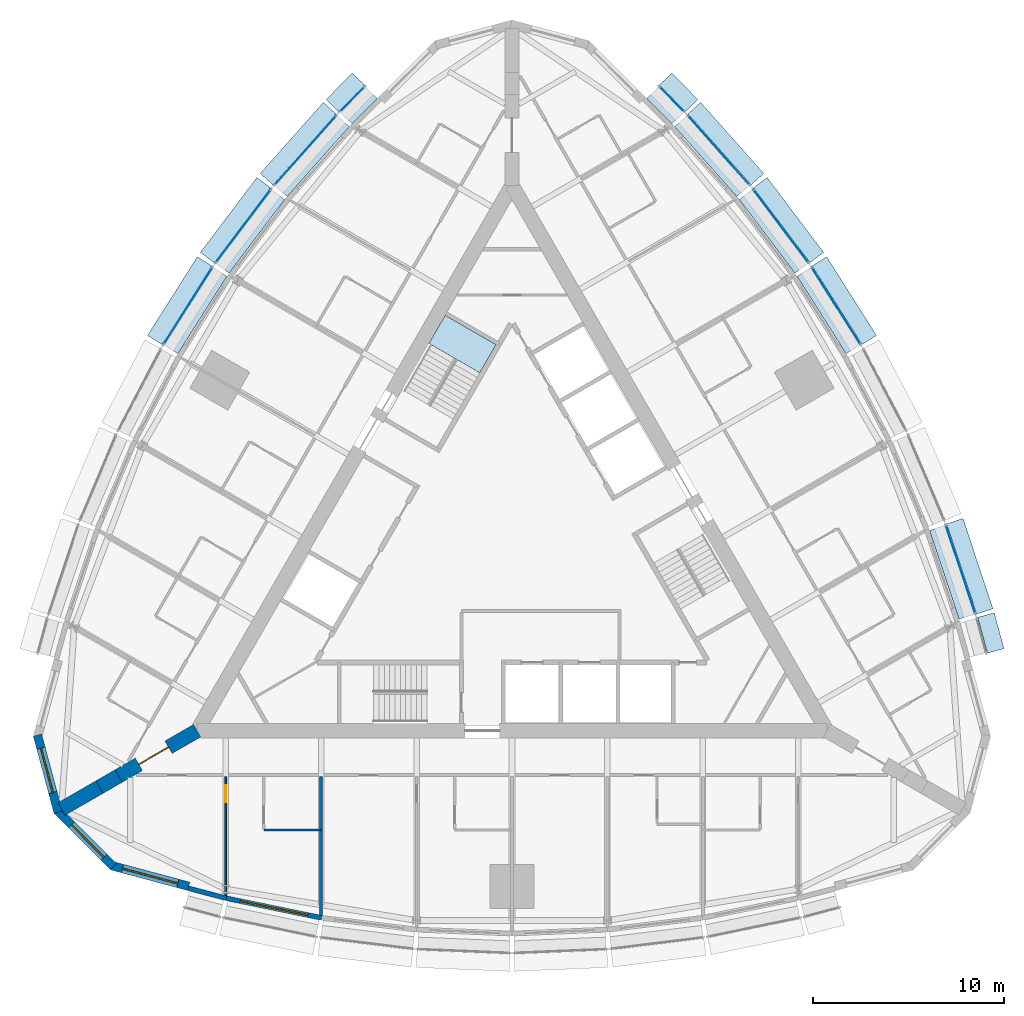
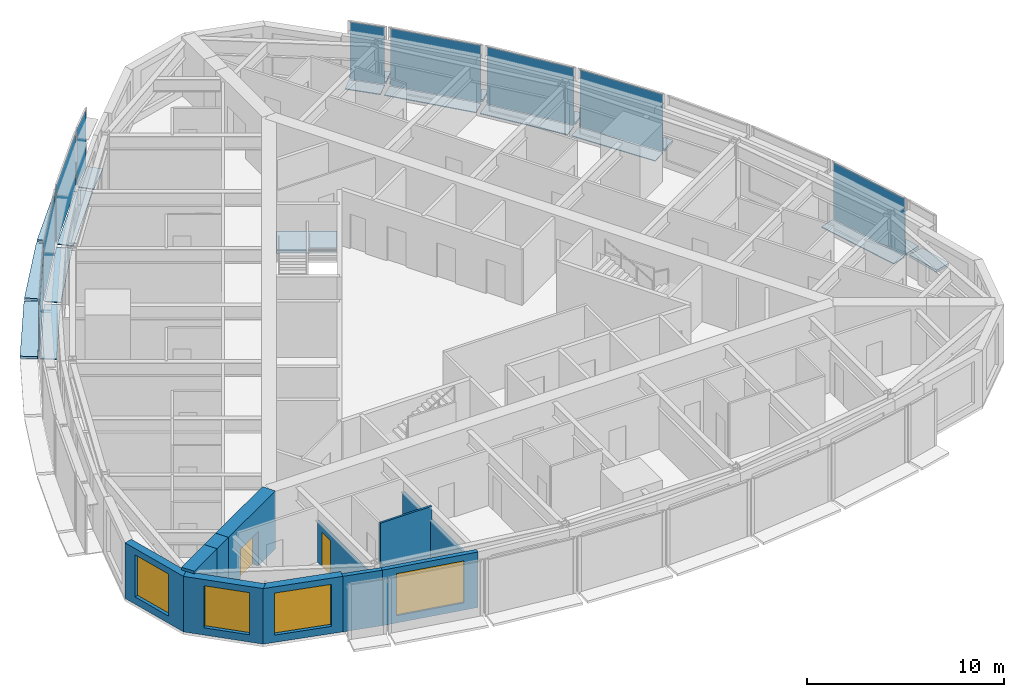
# One storey, part 8 of 15: 28 plates, 11 walls, 4 windows, 2 doors, 1 slab, 6 openings, 10 elements without a shape of their own.
"""IFC4 building model written with IfcOpenShell, lengths in metres."""

from ifc_helpers import new_model, si_unit, direction, frame, frame_2d, origin, origin_2d, place, context, subcontext, project, spatial, polyline, rectangle, outline, extrude, material, layer, layer_set, type_object, element, fill, aggregate, save


model = new_model("IFC4")

# Units and contexts
model_context = context("Model", 3, precision=1e-05, world=origin(), true_north=direction((0.0, 1.0)))
body_context = subcontext(model_context, "Body", "Model", "MODEL_VIEW")
ifc_project = project(units=[si_unit("LENGTHUNIT", "METRE"), si_unit("AREAUNIT", "SQUARE_METRE"), si_unit("VOLUMEUNIT", "CUBIC_METRE"), si_unit("PLANEANGLEUNIT", "RADIAN"), si_unit("MASSUNIT", "GRAM", prefix="KILO")], contexts=[model_context])

# Site, building, storey
site_placement = place(None, origin())
site = spatial("IfcSite", under=ifc_project, at=site_placement, CompositionType="ELEMENT")
building_placement = place(site_placement, origin())
building = spatial("IfcBuilding", under=site, at=building_placement, Name="Trikona Tower", CompositionType="ELEMENT")
storey_placement = place(building_placement, frame((0.0, 0.0, 218.89990234375)))
storey = spatial("IfcBuildingStorey", under=building, at=storey_placement, Name="L58", CompositionType="ELEMENT", Elevation=218.89990234375)

# Plates
ifc_material_1 = material(Name="Aluminium bar grating", Category="aluminium")
ifc_layer_1 = layer(ifc_material_1, 0.050048828125)
ifc_layer_set_1 = layer_set([ifc_layer_1], Name="Cavity catwalk grating")
plate_type_1 = type_object("IfcPlateType", Name="Cavity catwalk grating", PredefinedType="USERDEFINED", material=ifc_layer_set_1)
plate_1_placement = place(storey_placement, frame((23.05078125, -1.22314453125, -0.0498046875), z_axis=(0.0, 0.0, 1.0), x_axis=(-0.315092532747, 0.949060954737, 0.0)))
element("IfcPlate", 1, at=plate_1_placement, inside=storey, type_object=plate_type_1, Name="Cavity catwalk L58-13", ObjectType="CATWALK GRATING", PredefinedType="USERDEFINED", context=body_context, shape_type="SweptSolid", body=[
    extrude(rectangle(XDim=4.90478515625, YDim=0.840087890625, at=origin_2d()), origin(), (0.0, 0.0, 1.0), 0.050048828125),
])
plate_2_placement = place(storey_placement, frame((16.57666015625, 12.477294921875, -0.0498046875), z_axis=(0.0, 0.0, 1.0), x_axis=(-0.535204777743, 0.844722348397, 0.0)))
element("IfcPlate", 2, at=plate_2_placement, inside=storey, type_object=plate_type_1, Name="Cavity catwalk L58-16", ObjectType="CATWALK GRATING", PredefinedType="USERDEFINED", context=body_context, shape_type="SweptSolid", body=[
    extrude(rectangle(XDim=4.80419921875, YDim=0.840087890625, at=origin_2d()), origin(), (0.0, 0.0, 1.0), 0.050048828125),
])
plate_3_placement = place(storey_placement, frame((13.70068359375, 16.6298828125, -0.0498046875), z_axis=(0.0, 0.0, 1.0), x_axis=(-0.602401684924, 0.798193090674, 0.0)))
element("IfcPlate", 3, at=plate_3_placement, inside=storey, type_object=plate_type_1, Name="Cavity catwalk L58-17", ObjectType="CATWALK GRATING", PredefinedType="USERDEFINED", context=body_context, shape_type="SweptSolid", body=[
    extrude(rectangle(XDim=4.837890625, YDim=0.840087890625, at=origin_2d()), origin(), (0.0, 0.0, 1.0), 0.050048828125),
])
plate_4_placement = place(storey_placement, frame((10.466064453125, 20.57421875, -0.0498046875), z_axis=(0.0, 0.0, 1.0), x_axis=(-0.664367239113, 0.747406296196, 0.0)))
element("IfcPlate", 4, at=plate_4_placement, inside=storey, type_object=plate_type_1, Name="Cavity catwalk L58-18", ObjectType="CATWALK GRATING", PredefinedType="USERDEFINED", context=body_context, shape_type="SweptSolid", body=[
    extrude(rectangle(XDim=4.90478515625, YDim=0.840087890625, at=origin_2d()), origin(), (0.0, 0.0, 1.0), 0.050048828125),
])
for number, where, z_axis, x_axis, name in (
    (5, (8.0263671875, 23.23291015625, -0.0498046875), (0.0, 0.0, 1.0), (-0.704151057285, 0.710050201412, 0.0), "Cavity catwalk L58-19"),
    (6, (-8.0263671875, 23.23291015625, -0.0498046875), (0.0, 0.0, 1.0), (-0.704151057285, -0.710050201412, 0.0), "Cavity catwalk L58-24"),
):
    element("IfcPlate", number, at=place(storey_placement, frame(where, z_axis=z_axis, x_axis=x_axis)), inside=storey, type_object=plate_type_1, Name=name, ObjectType="CATWALK GRATING", PredefinedType="USERDEFINED", context=body_context, shape_type="SweptSolid", body=[
        extrude(rectangle(XDim=1.868408203125, YDim=0.840087890625, at=origin_2d()), origin(), (0.0, 0.0, 1.0), 0.050048828125),
    ])
plate_5_placement = place(storey_placement, frame((-10.466064453125, 20.57421875, -0.0498046875), z_axis=(0.0, 0.0, 1.0), x_axis=(-0.664367239113, -0.747406296196, 0.0)))
element("IfcPlate", 7, at=plate_5_placement, inside=storey, type_object=plate_type_1, Name="Cavity catwalk L58-25", ObjectType="CATWALK GRATING", PredefinedType="USERDEFINED", context=body_context, shape_type="SweptSolid", body=[
    extrude(rectangle(XDim=4.90478515625, YDim=0.840087890625, at=origin_2d()), origin(), (0.0, 0.0, 1.0), 0.050048828125),
])
plate_6_placement = place(storey_placement, frame((-13.70068359375, 16.6298828125, -0.0498046875), z_axis=(0.0, 0.0, 1.0), x_axis=(-0.602401684924, -0.798193090674, 0.0)))
element("IfcPlate", 8, at=plate_6_placement, inside=storey, type_object=plate_type_1, Name="Cavity catwalk L58-26", ObjectType="CATWALK GRATING", PredefinedType="USERDEFINED", context=body_context, shape_type="SweptSolid", body=[
    extrude(rectangle(XDim=4.837890625, YDim=0.840087890625, at=origin_2d()), origin(), (0.0, 0.0, 1.0), 0.050048828125),
])
plate_7_placement = place(storey_placement, frame((-16.57666015625, 12.477294921875, -0.0498046875), z_axis=(0.0, 0.0, 1.0), x_axis=(-0.535204777743, -0.844722348397, 0.0)))
element("IfcPlate", 9, at=plate_7_placement, inside=storey, type_object=plate_type_1, Name="Cavity catwalk L58-27", ObjectType="CATWALK GRATING", PredefinedType="USERDEFINED", context=body_context, shape_type="SweptSolid", body=[
    extrude(rectangle(XDim=4.80419921875, YDim=0.840087890625, at=origin_2d()), origin(), (0.0, 0.0, 1.0), 0.050048828125),
])

# Curtain wall, plate
ifc_material_2 = material(Name="Aluminium curtain wall system", Category="aluminium")
curtain_wall_type = type_object("IfcCurtainWallType", Name="Curtain wall DS3", PredefinedType="NOTDEFINED", material=ifc_material_2)
curtain_wall_1_placement = place(storey_placement, origin())
curtain_wall_1 = element("IfcCurtainWall", 10, at=curtain_wall_1_placement, inside=storey, type_object=curtain_wall_type, Name="Curtain wall DS3 L58", PredefinedType="NOTDEFINED")
ifc_material_3 = material(Name="Laminated clear glass", Category="glass")
ifc_layer_2 = layer(ifc_material_3, 0.028076171875)
ifc_layer_set_2 = layer_set([ifc_layer_2], Name="Glass panel DS3")
plate_type_2 = type_object("IfcPlateType", Name="Glass panel DS3", PredefinedType="CURTAIN_PANEL", material=ifc_layer_set_2)
plate_8_placement = place(storey_placement, frame((23.50634765625, -1.072021484375, 0.0), z_axis=(0.0, 0.0, 1.0), x_axis=(-0.315078038687, 0.949065766708, 0.0)))
plate_8 = element("IfcPlate", 11, at=plate_8_placement, type_object=plate_type_2, Name="CW-DS3 panel 1.1", PredefinedType="CURTAIN_PANEL", context=body_context, shape_type="SweptSolid", body=[
    extrude(rectangle(XDim=4.8447265625, YDim=0.028076171875, at=origin_2d()), origin(), (0.0, 0.0, 1.0), 3.530029296875),
])
aggregate(curtain_wall_1, [plate_8])

curtain_wall_2_placement = place(storey_placement, origin())
curtain_wall_2 = element("IfcCurtainWall", 12, at=curtain_wall_2_placement, inside=storey, type_object=curtain_wall_type, Name="Curtain wall DS3 L58", PredefinedType="NOTDEFINED")
plate_9_placement = place(storey_placement, frame((16.982177734375, 12.734130859375, 0.0), z_axis=(0.0, 0.0, 1.0), x_axis=(-0.535197227854, 0.844727131858, 0.0)))
plate_9 = element("IfcPlate", 13, at=plate_9_placement, type_object=plate_type_2, Name="CW-DS3 panel 1.1", PredefinedType="CURTAIN_PANEL", context=body_context, shape_type="SweptSolid", body=[
    extrude(rectangle(XDim=4.744140625, YDim=0.028076171875, at=origin_2d()), origin(), (0.0, 0.0, 1.0), 3.530029296875),
])
aggregate(curtain_wall_2, [plate_9])

curtain_wall_3_placement = place(storey_placement, origin())
curtain_wall_3 = element("IfcCurtainWall", 14, at=curtain_wall_3_placement, inside=storey, type_object=curtain_wall_type, Name="Curtain wall DS3 L58", PredefinedType="NOTDEFINED")
plate_10_placement = place(storey_placement, frame((14.083740234375, 16.9189453125, 0.0), z_axis=(0.0, 0.0, 1.0), x_axis=(-0.602401528506, 0.798193208724, 0.0)))
plate_10 = element("IfcPlate", 15, at=plate_10_placement, type_object=plate_type_2, Name="CW-DS3 panel 1.1", PredefinedType="CURTAIN_PANEL", context=body_context, shape_type="SweptSolid", body=[
    extrude(rectangle(XDim=4.778076171875, YDim=0.028076171875, at=origin_2d()), origin(), (0.0, 0.0, 1.0), 3.530029296875),
])
aggregate(curtain_wall_3, [plate_10])

curtain_wall_4_placement = place(storey_placement, origin())
curtain_wall_4 = element("IfcCurtainWall", 16, at=curtain_wall_4_placement, inside=storey, type_object=curtain_wall_type, Name="Curtain wall DS3 L58", PredefinedType="NOTDEFINED")
plate_11_placement = place(storey_placement, frame((10.82470703125, 20.89306640625, 0.0), z_axis=(0.0, 0.0, 1.0), x_axis=(-0.664371309689, 0.747402677853, 0.0)))
plate_11 = element("IfcPlate", 17, at=plate_11_placement, type_object=plate_type_2, Name="CW-DS3 panel 1.1", PredefinedType="CURTAIN_PANEL", context=body_context, shape_type="SweptSolid", body=[
    extrude(rectangle(XDim=4.844970703125, YDim=0.028076171875, at=origin_2d()), origin(), (0.0, 0.0, 1.0), 3.530029296875),
])
aggregate(curtain_wall_4, [plate_11])

curtain_wall_5_placement = place(storey_placement, origin())
curtain_wall_5 = element("IfcCurtainWall", 18, at=curtain_wall_5_placement, inside=storey, type_object=curtain_wall_type, Name="Curtain wall DS3 L58", PredefinedType="NOTDEFINED")
plate_12_placement = place(storey_placement, frame((8.3671875, 23.57080078125, 0.0), z_axis=(0.0, 0.0, 1.0), x_axis=(-0.704149343903, 0.710051900554, 0.0)))
plate_12 = element("IfcPlate", 19, at=plate_12_placement, type_object=plate_type_2, Name="CW-DS3 panel 1.1", PredefinedType="CURTAIN_PANEL", context=body_context, shape_type="SweptSolid", body=[
    extrude(rectangle(XDim=1.808349609375, YDim=0.028076171875, at=origin_2d()), origin(), (0.0, 0.0, 1.0), 3.530029296875),
])
aggregate(curtain_wall_5, [plate_12])

curtain_wall_6_placement = place(storey_placement, origin())
curtain_wall_6 = element("IfcCurtainWall", 20, at=curtain_wall_6_placement, inside=storey, type_object=curtain_wall_type, Name="Curtain wall DS3 L58", PredefinedType="NOTDEFINED")
plate_13_placement = place(storey_placement, frame((-8.3671875, 23.57080078125, 0.0), z_axis=(0.0, 0.0, 1.0), x_axis=(-0.704149343903, -0.710051900554, 0.0)))
plate_13 = element("IfcPlate", 21, at=plate_13_placement, type_object=plate_type_2, Name="CW-DS3 panel 1.1", PredefinedType="CURTAIN_PANEL", context=body_context, shape_type="SweptSolid", body=[
    extrude(rectangle(XDim=1.808349609375, YDim=0.028076171875, at=origin_2d()), origin(), (0.0, 0.0, 1.0), 3.530029296875),
])
aggregate(curtain_wall_6, [plate_13])

curtain_wall_7_placement = place(storey_placement, origin())
curtain_wall_7 = element("IfcCurtainWall", 22, at=curtain_wall_7_placement, inside=storey, type_object=curtain_wall_type, Name="Curtain wall DS3 L58", PredefinedType="NOTDEFINED")
plate_14_placement = place(storey_placement, frame((-10.82470703125, 20.89306640625, 0.0), z_axis=(0.0, 0.0, 1.0), x_axis=(-0.664371309689, -0.747402677853, 0.0)))
plate_14 = element("IfcPlate", 23, at=plate_14_placement, type_object=plate_type_2, Name="CW-DS3 panel 1.1", PredefinedType="CURTAIN_PANEL", context=body_context, shape_type="SweptSolid", body=[
    extrude(rectangle(XDim=4.844970703125, YDim=0.028076171875, at=origin_2d()), origin(), (0.0, 0.0, 1.0), 3.530029296875),
])
aggregate(curtain_wall_7, [plate_14])

curtain_wall_8_placement = place(storey_placement, origin())
curtain_wall_8 = element("IfcCurtainWall", 24, at=curtain_wall_8_placement, inside=storey, type_object=curtain_wall_type, Name="Curtain wall DS3 L58", PredefinedType="NOTDEFINED")
plate_15_placement = place(storey_placement, frame((-14.083740234375, 16.9189453125, 0.0), z_axis=(0.0, 0.0, 1.0), x_axis=(-0.602401528506, -0.798193208724, 0.0)))
plate_15 = element("IfcPlate", 25, at=plate_15_placement, type_object=plate_type_2, Name="CW-DS3 panel 1.1", PredefinedType="CURTAIN_PANEL", context=body_context, shape_type="SweptSolid", body=[
    extrude(rectangle(XDim=4.778076171875, YDim=0.028076171875, at=origin_2d()), origin(), (0.0, 0.0, 1.0), 3.530029296875),
])
aggregate(curtain_wall_8, [plate_15])

curtain_wall_9_placement = place(storey_placement, origin())
curtain_wall_9 = element("IfcCurtainWall", 26, at=curtain_wall_9_placement, inside=storey, type_object=curtain_wall_type, Name="Curtain wall DS3 L58", PredefinedType="NOTDEFINED")
plate_16_placement = place(storey_placement, frame((-16.982177734375, 12.734130859375, 0.0), z_axis=(0.0, 0.0, 1.0), x_axis=(-0.535197227854, -0.844727131858, 0.0)))
plate_16 = element("IfcPlate", 27, at=plate_16_placement, type_object=plate_type_2, Name="CW-DS3 panel 1.1", PredefinedType="CURTAIN_PANEL", context=body_context, shape_type="SweptSolid", body=[
    extrude(rectangle(XDim=4.744140625, YDim=0.028076171875, at=origin_2d()), origin(), (0.0, 0.0, 1.0), 3.530029296875),
])
aggregate(curtain_wall_9, [plate_16])

# Plates
ifc_material_4 = material(Name="Aluminium plate fin, pale anodised, on stainless steel outriggers", Category="steel")
ifc_layer_3 = layer(ifc_material_4, 0.14990234375)
ifc_layer_set_3 = layer_set([ifc_layer_3], Name="Outer skin fin 900")
plate_type_3 = type_object("IfcPlateType", Name="Outer skin fin 900", PredefinedType="USERDEFINED", material=ifc_layer_set_3)
plate_17_placement = place(storey_placement, frame((25.088623046875, -4.405029296875, 0.000244140625), z_axis=(0.0, 0.0, 1.0), x_axis=(-0.262822408229, 0.964844226667, 0.0)))
element("IfcPlate", 28, at=plate_17_placement, inside=storey, type_object=plate_type_3, Name="Outer skin fin L58-12", ObjectType="FIN", PredefinedType="USERDEFINED", context=body_context, shape_type="SweptSolid", body=[
    extrude(rectangle(XDim=1.9482421875, YDim=0.89990234375, at=origin_2d()), origin(), (0.0, 0.0, 1.0), 0.14990234375),
])
plate_18_placement = place(storey_placement, frame((23.990234375, -0.9111328125, 0.000244140625), z_axis=(0.0, 0.0, 1.0), x_axis=(-0.315092532747, 0.949060954737, 0.0)))
element("IfcPlate", 29, at=plate_18_placement, inside=storey, type_object=plate_type_3, Name="Outer skin fin L58-13", ObjectType="FIN", PredefinedType="USERDEFINED", context=body_context, shape_type="SweptSolid", body=[
    extrude(rectangle(XDim=4.98486328125, YDim=0.89990234375, at=origin_2d()), origin(), (0.0, 0.0, 1.0), 0.14990234375),
])
plate_19_placement = place(storey_placement, frame((17.4130859375, 13.007080078125, 0.000244140625), z_axis=(0.0, 0.0, 1.0), x_axis=(-0.535204777743, 0.844722348397, 0.0)))
element("IfcPlate", 30, at=plate_19_placement, inside=storey, type_object=plate_type_3, Name="Outer skin fin L58-16", ObjectType="FIN", PredefinedType="USERDEFINED", context=body_context, shape_type="SweptSolid", body=[
    extrude(rectangle(XDim=4.88427734375, YDim=0.89990234375, at=origin_2d()), origin(), (0.0, 0.0, 1.0), 0.14990234375),
])
plate_20_placement = place(storey_placement, frame((14.49072265625, 17.22607421875, 0.000244140625), z_axis=(0.0, 0.0, 1.0), x_axis=(-0.602401684924, 0.798193090674, 0.0)))
element("IfcPlate", 31, at=plate_20_placement, inside=storey, type_object=plate_type_3, Name="Outer skin fin L58-17", ObjectType="FIN", PredefinedType="USERDEFINED", context=body_context, shape_type="SweptSolid", body=[
    extrude(rectangle(XDim=4.91796875, YDim=0.89990234375, at=origin_2d()), origin(), (0.0, 0.0, 1.0), 0.14990234375),
])
plate_21_placement = place(storey_placement, frame((11.2060546875, 21.23193359375, 0.000244140625), z_axis=(0.0, 0.0, 1.0), x_axis=(-0.664367239113, 0.747406296196, 0.0)))
element("IfcPlate", 32, at=plate_21_placement, inside=storey, type_object=plate_type_3, Name="Outer skin fin L58-18", ObjectType="FIN", PredefinedType="USERDEFINED", context=body_context, shape_type="SweptSolid", body=[
    extrude(rectangle(XDim=4.98486328125, YDim=0.89990234375, at=origin_2d()), origin(), (0.0, 0.0, 1.0), 0.14990234375),
])
for number, where, z_axis, x_axis, name in (
    (33, (8.7294921875, 23.929931640625, 0.000244140625), (0.0, 0.0, 1.0), (-0.704151057285, 0.710050201412, 0.0), "Outer skin fin L58-19"),
    (34, (-8.7294921875, 23.929931640625, 0.000244140625), (0.0, 0.0, 1.0), (-0.704151057285, -0.710050201412, 0.0), "Outer skin fin L58-24"),
):
    element("IfcPlate", number, at=place(storey_placement, frame(where, z_axis=z_axis, x_axis=x_axis)), inside=storey, type_object=plate_type_3, Name=name, ObjectType="FIN", PredefinedType="USERDEFINED", context=body_context, shape_type="SweptSolid", body=[
        extrude(rectangle(XDim=1.9482421875, YDim=0.89990234375, at=origin_2d()), origin(), (0.0, 0.0, 1.0), 0.14990234375),
    ])
plate_22_placement = place(storey_placement, frame((-11.2060546875, 21.23193359375, 0.000244140625), z_axis=(0.0, 0.0, 1.0), x_axis=(-0.664367239113, -0.747406296196, 0.0)))
element("IfcPlate", 35, at=plate_22_placement, inside=storey, type_object=plate_type_3, Name="Outer skin fin L58-25", ObjectType="FIN", PredefinedType="USERDEFINED", context=body_context, shape_type="SweptSolid", body=[
    extrude(rectangle(XDim=4.98486328125, YDim=0.89990234375, at=origin_2d()), origin(), (0.0, 0.0, 1.0), 0.14990234375),
])
plate_23_placement = place(storey_placement, frame((-14.49072265625, 17.22607421875, 0.000244140625), z_axis=(0.0, 0.0, 1.0), x_axis=(-0.602401684924, -0.798193090674, 0.0)))
element("IfcPlate", 36, at=plate_23_placement, inside=storey, type_object=plate_type_3, Name="Outer skin fin L58-26", ObjectType="FIN", PredefinedType="USERDEFINED", context=body_context, shape_type="SweptSolid", body=[
    extrude(rectangle(XDim=4.91796875, YDim=0.89990234375, at=origin_2d()), origin(), (0.0, 0.0, 1.0), 0.14990234375),
])
plate_24_placement = place(storey_placement, frame((-17.4130859375, 13.007080078125, 0.000244140625), z_axis=(0.0, 0.0, 1.0), x_axis=(-0.535204777743, -0.844722348397, 0.0)))
element("IfcPlate", 37, at=plate_24_placement, inside=storey, type_object=plate_type_3, Name="Outer skin fin L58-27", ObjectType="FIN", PredefinedType="USERDEFINED", context=body_context, shape_type="SweptSolid", body=[
    extrude(rectangle(XDim=4.88427734375, YDim=0.89990234375, at=origin_2d()), origin(), (0.0, 0.0, 1.0), 0.14990234375),
])

# Stair, slab
ifc_material_5 = material(Name="Concrete f'c 5000 psi", Category="concrete")
stair_type = type_object("IfcStairType", Name="Core stair", PredefinedType="HALF_TURN_STAIR", material=ifc_material_5)
stair_placement = place(storey_placement, origin())
stair = element("IfcStair", 38, at=stair_placement, inside=storey, type_object=stair_type, Name="Stair C L58", PredefinedType="HALF_TURN_STAIR")
ifc_material_6 = material(Name="Concrete f'c 5000 psi", Category="concrete")
ifc_layer_4 = layer(ifc_material_6, 0.199951171875)
ifc_layer_set_4 = layer_set([ifc_layer_4], Name="Stair landing 200")
slab_type = type_object("IfcSlabType", Name="Stair landing 200", PredefinedType="LANDING", material=ifc_layer_set_4)
slab_placement = place(storey_placement, frame((0.0, 0.0, 1.60009765625)))
slab = element("IfcSlab", 39, at=slab_placement, type_object=slab_type, Name="ST-C landing 2", PredefinedType="LANDING", context=body_context, shape_type="SweptSolid", body=[
    extrude(outline(polyline([(-0.837158203125, 10.702392578125), (-1.688720703125, 9.2275390625), (-4.351806640625, 10.76513671875), (-3.500244140625, 12.239990234375), (-0.837158203125, 10.702392578125)])), origin(), (0.0, 0.0, 1.0), 0.199951171875),
])
aggregate(stair, [slab])

# Wall
ifc_material_7 = material(Name="Metal stud and cement board", Category="gypsum")
ifc_layer_5 = layer(ifc_material_7, 0.1201171875)
ifc_layer_set_5 = layer_set([ifc_layer_5], Name="Bathroom wall 120")
wall_type_1 = type_object("IfcWallType", Name="Bathroom wall 120", PredefinedType="PLUMBINGWALL", material=ifc_layer_set_5)
wall_1_placement = place(storey_placement, frame((-13.0, -14.726318359375, 0.0), z_axis=(0.0, 0.0, 1.0), x_axis=(1.0, 0.0, 0.0)))
element("IfcWall", 40, at=wall_1_placement, inside=storey, type_object=wall_type_1, Name="Bathroom wall 5801.1", PredefinedType="PLUMBINGWALL", context=body_context, shape_type="SweptSolid", body=[
    extrude(rectangle(XDim=3.0, YDim=0.1201171875, at=frame_2d((1.5, 0.0))), origin(), (0.0, 0.0, 1.0), 3.43505859375),
])

# Wall, opening, window
ifc_material_8 = material(Name="Brick-faced precast concrete", Category="masonry")
ifc_layer_6 = layer(ifc_material_8, 0.449951171875)
ifc_layer_set_6 = layer_set([ifc_layer_6], Name="Brick-faced corner wall 450")
wall_type_2 = type_object("IfcWallType", Name="Brick-faced corner wall 450", PredefinedType="SOLIDWALL", material=ifc_layer_set_6)
wall_2_placement = place(storey_placement, frame((-24.865478515625, -9.7568359375, 0.0), z_axis=(0.0, 0.0, 1.0), x_axis=(0.258799282522, -0.96593112144, 0.0)))
wall_2 = element("IfcWall", 41, at=wall_2_placement, inside=storey, type_object=wall_type_2, Name="External wall L58-33", PredefinedType="SOLIDWALL", context=body_context, shape_type="SweptSolid", body=[
    extrude(outline(polyline([(4.183837890625, 0.22509765625), (4.12451171875, 0.22509765625), (3.705078125, 0.112548828125), (3.675048828125, 0.22509765625), (0.0, 0.22509765625), (0.0, -0.22509765625), (4.183837890625, -0.22509765625), (4.183837890625, 0.22509765625)])), origin(), (0.0, 0.0, 1.0), 3.43505859375),
])
opening_1_placement = place(wall_2_placement, frame((0.712646484375, 0.0, 0.449951171875)))
opening_1 = element("IfcOpeningElement", 42, at=opening_1_placement, cuts=wall_2, Name="Opening W2426", PredefinedType="OPENING", context=body_context, shape_type="SweptSolid", body=[
    extrude(rectangle(XDim=2.39990234375, YDim=2.60009765625, at=frame_2d((1.199951171875, 1.300048828125))), frame((0.0, 0.23486328125, 0.0), z_axis=(0.0, -1.0, 0.0), x_axis=(1.0, 0.0, 0.0)), (0.0, 0.0, 1.0), 0.469970703125),
])
ifc_material_9 = material(Name="Aluminium-framed double glazing", Category="aluminium")
window_type_1 = type_object("IfcWindowType", Name="Window 2400x2600", PartitioningType="SINGLE_PANEL", PredefinedType="WINDOW", material=ifc_material_9)
window_1_placement = place(opening_1_placement, origin())
window_1 = element("IfcWindow", 43, at=window_1_placement, inside=storey, type_object=window_type_1, Name="Window 5816", OverallHeight=2.60009765625, OverallWidth=2.39990234375, PartitioningType="SINGLE_PANEL", PredefinedType="WINDOW", context=body_context, shape_type="SweptSolid", body=[
    extrude(rectangle(XDim=2.39990234375, YDim=2.60009765625, at=frame_2d((1.199951171875, 1.300048828125))), frame((0.0, 0.030029296875, 0.0), z_axis=(0.0, -1.0, 0.0), x_axis=(1.0, 0.0, 0.0)), (0.0, 0.0, 1.0), 0.06005859375),
])
fill(opening_1, window_1)

wall_3_placement = place(storey_placement, frame((-23.8408203125, -13.697265625, 0.0), z_axis=(0.0, 0.0, 1.0), x_axis=(0.707077605902, -0.707135955267, 0.0)))
wall_3 = element("IfcWall", 44, at=wall_3_placement, inside=storey, type_object=wall_type_2, Name="External wall L58-34", PredefinedType="SOLIDWALL", context=body_context, shape_type="SweptSolid", body=[
    extrude(outline(polyline([(4.18408203125, 0.22509765625), (0.5087890625, 0.22509765625), (0.478759765625, 0.112548828125), (0.05908203125, 0.22509765625), (0.0, 0.22509765625), (0.0, -0.22509765625), (4.18408203125, -0.22509765625), (4.18408203125, 0.22509765625)])), origin(), (0.0, 0.0, 1.0), 3.43505859375),
])
opening_2_placement = place(wall_3_placement, frame((1.0712890625, 0.0, 0.449951171875)))
opening_2 = element("IfcOpeningElement", 45, at=opening_2_placement, cuts=wall_3, Name="Opening W2426", PredefinedType="OPENING", context=body_context, shape_type="SweptSolid", body=[
    extrude(rectangle(XDim=2.39990234375, YDim=2.60009765625, at=frame_2d((1.199951171875, 1.300048828125))), frame((0.0, 0.23486328125, 0.0), z_axis=(0.0, -1.0, 0.0), x_axis=(1.0, 0.0, 0.0)), (0.0, 0.0, 1.0), 0.469970703125),
])
window_2_placement = place(opening_2_placement, origin())
window_2 = element("IfcWindow", 46, at=window_2_placement, inside=storey, type_object=window_type_1, Name="Window 5801", OverallHeight=2.60009765625, OverallWidth=2.39990234375, PartitioningType="SINGLE_PANEL", PredefinedType="WINDOW", context=body_context, shape_type="SweptSolid", body=[
    extrude(rectangle(XDim=2.39990234375, YDim=2.60009765625, at=frame_2d((1.199951171875, 1.300048828125))), frame((0.0, 0.030029296875, 0.0), z_axis=(0.0, -1.0, 0.0), x_axis=(1.0, 0.0, 0.0)), (0.0, 0.0, 1.0), 0.06005859375),
])
fill(opening_2, window_2)

wall_4_placement = place(storey_placement, frame((-20.9833984375, -16.59765625, 0.0), z_axis=(0.0, 0.0, 1.0), x_axis=(0.965920442324, -0.258839137498, 0.0)))
wall_4 = element("IfcWall", 47, at=wall_4_placement, inside=storey, type_object=wall_type_2, Name="External wall L58-35", PredefinedType="SOLIDWALL", context=body_context, shape_type="SweptSolid", body=[
    extrude(rectangle(XDim=4.18408203125, YDim=0.449951171875, at=frame_2d((2.092041015625, 0.0))), origin(), (0.0, 0.0, 1.0), 3.43505859375),
])
opening_3_placement = place(wall_4_placement, frame((0.592041015625, 0.0, 0.449951171875)))
opening_3 = element("IfcOpeningElement", 48, at=opening_3_placement, cuts=wall_4, Name="Opening W3026", PredefinedType="OPENING", context=body_context, shape_type="SweptSolid", body=[
    extrude(rectangle(XDim=3.0, YDim=2.60009765625, at=frame_2d((1.5, 1.300048828125))), frame((0.0, 0.23486328125, 0.0), z_axis=(0.0, -1.0, 0.0), x_axis=(1.0, 0.0, 0.0)), (0.0, 0.0, 1.0), 0.469970703125),
])
ifc_material_10 = material(Name="Aluminium-framed double glazing", Category="aluminium")
window_type_2 = type_object("IfcWindowType", Name="Window 3000x2600", PartitioningType="SINGLE_PANEL", PredefinedType="WINDOW", material=ifc_material_10)
window_3_placement = place(opening_3_placement, origin())
window_3 = element("IfcWindow", 49, at=window_3_placement, inside=storey, type_object=window_type_2, Name="Window 5801", OverallHeight=2.60009765625, OverallWidth=3.0, PartitioningType="SINGLE_PANEL", PredefinedType="WINDOW", context=body_context, shape_type="SweptSolid", body=[
    extrude(rectangle(XDim=3.0, YDim=2.60009765625, at=frame_2d((1.5, 1.300048828125))), frame((0.0, 0.030029296875, 0.0), z_axis=(0.0, -1.0, 0.0), x_axis=(1.0, 0.0, 0.0)), (0.0, 0.0, 1.0), 0.06005859375),
])
fill(opening_3, window_3)

# Wall, opening, door
ifc_material_11 = material(Name="Concrete f'c 10000 psi", Category="concrete")
ifc_layer_7 = layer(ifc_material_11, 0.75)
ifc_layer_set_7 = layer_set([ifc_layer_7], Name="Buttress wall 750")
wall_type_3 = type_object("IfcWallType", Name="Buttress wall 750", PredefinedType="SHEAR", material=ifc_layer_set_7)
wall_5_placement = place(storey_placement, frame((-16.5, -9.5263671875, 0.0), z_axis=(0.0, 0.0, 1.0), x_axis=(-0.866031398331, -0.499989616998, 0.0)))
wall_5 = element("IfcWall", 50, at=wall_5_placement, inside=storey, type_object=wall_type_3, Name="Buttress wall 3", PredefinedType="SHEAR", context=body_context, shape_type="SweptSolid", body=[
    extrude(rectangle(XDim=4.74609375, YDim=0.75, at=frame_2d((2.373046875, 0.0))), origin(), (0.0, 0.0, 1.0), 3.60009765625),
])
opening_4_placement = place(wall_5_placement, frame((1.72509765625, 0.0, 0.0)))
opening_4 = element("IfcOpeningElement", 51, at=opening_4_placement, cuts=wall_5, Name="Opening D10", PredefinedType="OPENING", context=body_context, shape_type="SweptSolid", body=[
    extrude(rectangle(XDim=1.800048828125, YDim=2.1298828125, at=frame_2d((0.89990234375, 1.06494140625))), frame((0.0, 0.385009765625, 0.0), z_axis=(0.0, -1.0, 0.0), x_axis=(1.0, 0.0, 0.0)), (0.0, 0.0, 1.0), 0.77001953125),
])
ifc_material_12 = material(Name="Hollow metal door and frame", Category="steel")
door_type_1 = type_object("IfcDoorType", Name="Cross-corridor door pair 1800x2130", OperationType="DOUBLE_DOOR_DOUBLE_SWING", PredefinedType="DOOR", material=ifc_material_12)
door_1_placement = place(opening_4_placement, origin())
door_1 = element("IfcDoor", 52, at=door_1_placement, inside=storey, type_object=door_type_1, Name="Cross-corridor door 3", OperationType="DOUBLE_DOOR_DOUBLE_SWING", OverallHeight=2.1298828125, OverallWidth=1.800048828125, PredefinedType="DOOR", context=body_context, shape_type="SweptSolid", body=[
    extrude(rectangle(XDim=1.800048828125, YDim=2.1298828125, at=frame_2d((0.89990234375, 1.06494140625))), frame((0.0, 0.02490234375, 0.0), z_axis=(0.0, -1.0, 0.0), x_axis=(1.0, 0.0, 0.0)), (0.0, 0.0, 1.0), 0.050048828125),
])
fill(opening_4, door_1)

# Walls
wall_6_placement = place(storey_placement, frame((-20.6103515625, -11.8994140625, 0.0), z_axis=(0.0, 0.0, 1.0), x_axis=(-0.866009537788, -0.500027479704, 0.0)))
element("IfcWall", 53, at=wall_6_placement, inside=storey, type_object=wall_type_3, Name="Buttress wall 3 part 2", PredefinedType="SHEAR", context=body_context, shape_type="SweptSolid", body=[
    extrude(rectangle(XDim=1.15478515625, YDim=0.75, at=frame_2d((0.577392578125, 0.0))), origin(), (0.0, 0.0, 1.0), 3.60009765625),
])
wall_7_placement = place(storey_placement, frame((-21.6103515625, -12.476806640625, 0.0), z_axis=(0.0, 0.0, 1.0), x_axis=(-0.866055313784, -0.499948190782, 0.0)))
element("IfcWall", 54, at=wall_7_placement, inside=storey, type_object=wall_type_3, Name="Buttress wall 3 part 3", PredefinedType="SHEAR", context=body_context, shape_type="SweptSolid", body=[
    extrude(rectangle(XDim=2.309326171875, YDim=0.75, at=frame_2d((1.15478515625, 0.0))), origin(), (0.0, 0.0, 1.0), 3.60009765625),
])
ifc_material_13 = material(Name="Insulated precast concrete spandrel panel", Category="concrete")
ifc_layer_8 = layer(ifc_material_13, 0.25)
ifc_layer_set_8 = layer_set([ifc_layer_8], Name="Inner skin wall 250")
wall_type_4 = type_object("IfcWallType", Name="Inner skin wall 250", PredefinedType="STANDARD", material=ifc_layer_set_8)
wall_8_placement = place(storey_placement, frame((-16.968017578125, -17.777099609375, 0.0), z_axis=(0.0, 0.0, 1.0), x_axis=(0.967010286052, -0.254737328772, 0.0)))
element("IfcWall", 55, at=wall_8_placement, inside=storey, type_object=wall_type_4, Name="External wall L58-00", PredefinedType="STANDARD", context=body_context, shape_type="SweptSolid", body=[
    extrude(rectangle(XDim=2.068115234375, YDim=0.25, at=frame_2d((1.0341796875, 0.0))), origin(), (0.0, 0.0, 1.0), 3.43505859375),
])

# Wall, opening, window
wall_9_placement = place(storey_placement, frame((-14.974853515625, -18.302490234375, 0.0), z_axis=(0.0, 0.0, 1.0), x_axis=(0.979461488189, -0.201631329795, 0.0)))
wall_9 = element("IfcWall", 56, at=wall_9_placement, inside=storey, type_object=wall_type_4, Name="External wall L58-01", PredefinedType="STANDARD", context=body_context, shape_type="SweptSolid", body=[
    extrude(rectangle(XDim=5.104736328125, YDim=0.25, at=frame_2d((2.55224609375, 0.0))), origin(), (0.0, 0.0, 1.0), 3.43505859375),
])
opening_5_placement = place(wall_9_placement, frame((0.75244140625, 0.0, 0.449951171875)))
opening_5 = element("IfcOpeningElement", 57, at=opening_5_placement, cuts=wall_9, Name="Opening W3626", PredefinedType="OPENING", context=body_context, shape_type="SweptSolid", body=[
    extrude(rectangle(XDim=3.60009765625, YDim=2.60009765625, at=frame_2d((1.800048828125, 1.300048828125))), frame((0.0, 0.135009765625, 0.0), z_axis=(0.0, -1.0, 0.0), x_axis=(1.0, 0.0, 0.0)), (0.0, 0.0, 1.0), 0.27001953125),
])
ifc_material_14 = material(Name="Aluminium-framed double glazing", Category="aluminium")
window_type_3 = type_object("IfcWindowType", Name="Window 3600x2600", PartitioningType="SINGLE_PANEL", PredefinedType="WINDOW", material=ifc_material_14)
window_4_placement = place(opening_5_placement, origin())
window_4 = element("IfcWindow", 58, at=window_4_placement, inside=storey, type_object=window_type_3, Name="Window 5801.1", OverallHeight=2.60009765625, OverallWidth=3.60009765625, PartitioningType="SINGLE_PANEL", PredefinedType="WINDOW", context=body_context, shape_type="SweptSolid", body=[
    extrude(rectangle(XDim=3.60009765625, YDim=2.60009765625, at=frame_2d((1.800048828125, 1.300048828125))), frame((0.0, 0.030029296875, 0.0), z_axis=(0.0, -1.0, 0.0), x_axis=(1.0, 0.0, 0.0)), (0.0, 0.0, 1.0), 0.06005859375),
])
fill(opening_5, window_4)

# Wall
ifc_material_15 = material(Name="Metal stud and gypsum board, 1-hour acoustic", Category="gypsum")
ifc_layer_9 = layer(ifc_material_15, 0.14990234375)
ifc_layer_set_9 = layer_set([ifc_layer_9], Name="Party wall 150")
wall_type_5 = type_object("IfcWallType", Name="Party wall 150", PredefinedType="PARTITIONING", material=ifc_layer_set_9)
wall_10_placement = place(storey_placement, frame((-10.0, -11.92626953125, 0.0), z_axis=(0.0, 0.0, 1.0), x_axis=(0.0, -1.0, 0.0)))
element("IfcWall", 59, at=wall_10_placement, inside=storey, type_object=wall_type_5, Name="Partition L58 F1 u-10", PredefinedType="PARTITIONING", context=body_context, shape_type="SweptSolid", body=[
    extrude(rectangle(XDim=7.27294921875, YDim=0.14990234375, at=frame_2d((3.636474609375, 0.0))), origin(), (0.0, 0.0, 1.0), 2.58935546875),
])

# Wall, opening, door
ifc_material_16 = material(Name="Metal stud and gypsum board, acoustic", Category="gypsum")
ifc_layer_10 = layer(ifc_material_16, 0.10009765625)
ifc_layer_set_10 = layer_set([ifc_layer_10], Name="Suite partition 100")
wall_type_6 = type_object("IfcWallType", Name="Suite partition 100", PredefinedType="PARTITIONING", material=ifc_layer_set_10)
wall_11_placement = place(storey_placement, frame((-15.0, -11.92626953125, 0.0), z_axis=(0.0, 0.0, 1.0), x_axis=(0.0, -1.0, 0.0)))
wall_11 = element("IfcWall", 60, at=wall_11_placement, inside=storey, type_object=wall_type_6, Name="Suite partition L58 F1 u-15", PredefinedType="PARTITIONING", context=body_context, shape_type="SweptSolid", body=[
    extrude(rectangle(XDim=6.240234375, YDim=0.10009765625, at=frame_2d((3.1201171875, 0.0))), origin(), (0.0, 0.0, 1.0), 2.58935546875),
])
opening_6_placement = place(wall_11_placement, frame((0.449951171875, 0.0, 0.0)))
opening_6 = element("IfcOpeningElement", 61, at=opening_6_placement, cuts=wall_11, Name="Opening D13", PredefinedType="OPENING", context=body_context, shape_type="SweptSolid", body=[
    extrude(rectangle(XDim=0.89990234375, YDim=2.1298828125, at=frame_2d((0.449951171875, 1.06494140625))), frame((0.0, 0.06005859375, 0.0), z_axis=(0.0, -1.0, 0.0), x_axis=(1.0, 0.0, 0.0)), (0.0, 0.0, 1.0), 0.1201171875),
])
ifc_material_17 = material(Name="Steel door frame with solid-core timber leaf", Category="steel")
door_type_2 = type_object("IfcDoorType", Name="Suite door 900x2130", OperationType="SINGLE_SWING_LEFT", PredefinedType="DOOR", material=ifc_material_17)
door_2_placement = place(opening_6_placement, origin())
door_2 = element("IfcDoor", 62, at=door_2_placement, inside=storey, type_object=door_type_2, Name="Suite door 5801", OperationType="SINGLE_SWING_LEFT", OverallHeight=2.1298828125, OverallWidth=0.89990234375, PredefinedType="DOOR", context=body_context, shape_type="SweptSolid", body=[
    extrude(rectangle(XDim=0.89990234375, YDim=2.1298828125, at=frame_2d((0.449951171875, 1.06494140625))), frame((0.0, 0.02490234375, 0.0), z_axis=(0.0, -1.0, 0.0), x_axis=(1.0, 0.0, 0.0)), (0.0, 0.0, 1.0), 0.050048828125),
])
fill(opening_6, door_2)

save(model, "model.ifc")
